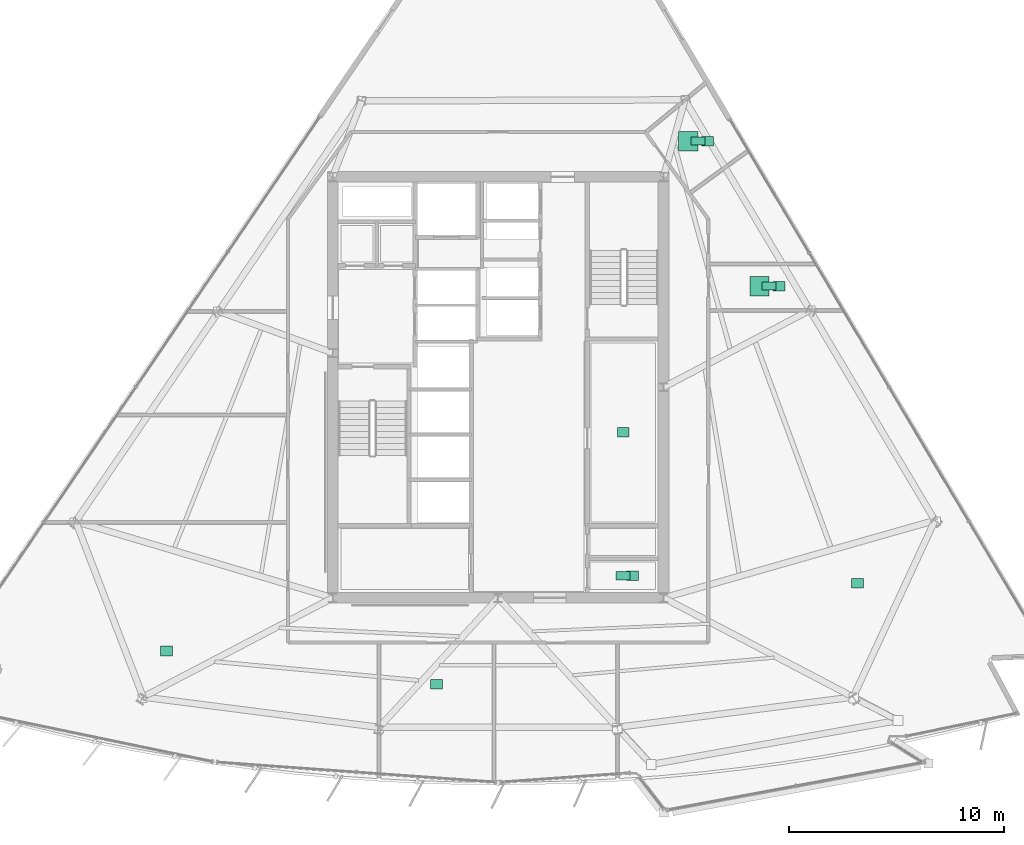
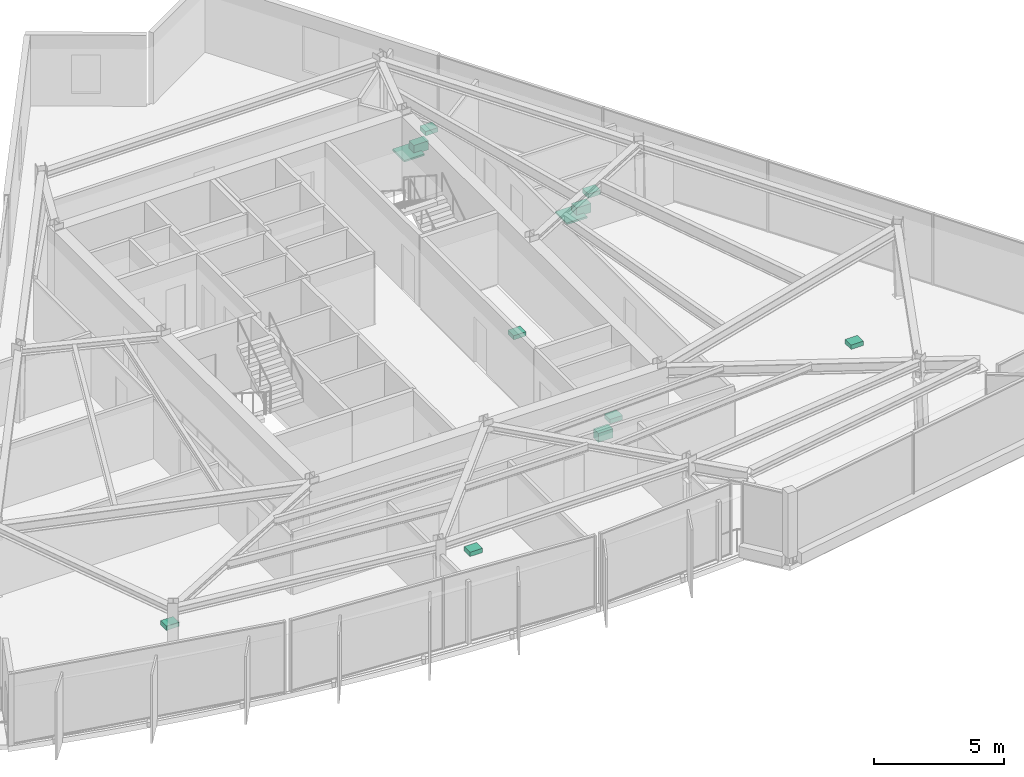
# One storey, part 13 of 13: 12 sanitary terminals.
"""IFC4 building model written with IfcOpenShell, lengths in metres."""

from ifc_helpers import new_model, si_unit, direction, frame, origin, origin_2d, place, context, subcontext, project, spatial, rectangle, extrude, material, type_object, element, save


model = new_model("IFC4")

# Units and contexts
model_context = context("Model", 3, precision=1e-05, world=origin(), true_north=direction((0.0, 1.0)))
body_context = subcontext(model_context, "Body", "Model", "MODEL_VIEW")
ifc_project = project(units=[si_unit("LENGTHUNIT", "METRE"), si_unit("AREAUNIT", "SQUARE_METRE"), si_unit("VOLUMEUNIT", "CUBIC_METRE"), si_unit("PLANEANGLEUNIT", "RADIAN"), si_unit("MASSUNIT", "GRAM", prefix="KILO")], contexts=[model_context])

# Site, building, storey
site_placement = place(None, origin())
site = spatial("IfcSite", under=ifc_project, at=site_placement, CompositionType="ELEMENT")
building_placement = place(site_placement, origin())
building = spatial("IfcBuilding", under=site, at=building_placement, Name="Savorim Split Tower", CompositionType="ELEMENT")
storey_placement = place(building_placement, frame((0.0, 0.0, 216.300048828125)))
storey = spatial("IfcBuildingStorey", under=building, at=storey_placement, Name="L57", CompositionType="ELEMENT", Elevation=216.300048828125)

# Sanitary terminals
ifc_material = material(Name="Vitreous China Sanitaryware")
sanitary_terminal_type_1 = type_object("IfcSanitaryTerminalType", Name="SAN-SHW-900", PredefinedType="SHOWER", material=ifc_material)
for number, where, z_axis, x_axis, name in (
    (1, (12.162841796875, 5.106689453125, 0.0), (0.0, 0.0, 1.0), (1.0, 0.0, 0.0), "L57 Shared Bathroom Shower"),
    (2, (8.849853515625, 11.8525390625, 0.0), (0.0, 0.0, 1.0), (1.0, 0.0, 0.0), "L57 Shared Bathroom Shower"),
):
    element("IfcSanitaryTerminal", number, at=place(storey_placement, frame(where, z_axis=z_axis, x_axis=x_axis)), inside=storey, type_object=sanitary_terminal_type_1, Name=name, PredefinedType="SHOWER", context=body_context, shape_type="SweptSolid", body=[
        extrude(rectangle(XDim=0.89990234375, YDim=0.89990234375, at=origin_2d()), origin(), (0.0, 0.0, 1.0), 0.080078125),
    ])
sanitary_terminal_type_2 = type_object("IfcSanitaryTerminalType", Name="SAN-WC-PAN", PredefinedType="TOILETPAN", material=ifc_material)
for number, where, z_axis, x_axis, name in (
    (3, (5.800048828125, -8.3701171875, 0.0), (0.0, 0.0, 1.0), (1.0, 0.0, 0.0), "L57 Accessible WC WC Pan"),
    (4, (12.61279296875, 5.106689453125, 0.0), (0.0, 0.0, 1.0), (1.0, 0.0, 0.0), "L57 Shared Bathroom WC Pan"),
    (5, (9.2998046875, 11.8525390625, 0.0), (0.0, 0.0, 1.0), (1.0, 0.0, 0.0), "L57 Shared Bathroom WC Pan"),
):
    element("IfcSanitaryTerminal", number, at=place(storey_placement, frame(where, z_axis=z_axis, x_axis=x_axis)), inside=storey, type_object=sanitary_terminal_type_2, Name=name, PredefinedType="TOILETPAN", context=body_context, shape_type="SweptSolid", body=[
        extrude(rectangle(XDim=0.64990234375, YDim=0.3798828125, at=origin_2d()), origin(), (0.0, 0.0, 1.0), 0.419921875),
    ])
sanitary_terminal_type_3 = type_object("IfcSanitaryTerminalType", Name="SAN-WHB-550", PredefinedType="WASHHANDBASIN", material=ifc_material)
for number, where, z_axis, x_axis, name in (
    (6, (5.824951171875, -1.699951171875, 0.75), (0.0, 0.0, 1.0), (1.0, 0.0, 0.0), "L57 Community Laundry Room Utility Sink"),
    (7, (6.25, -8.3701171875, 0.72021484375), (0.0, 0.0, 1.0), (1.0, 0.0, 0.0), "L57 Accessible WC Washhand Basin"),
    (8, (-15.43310546875, -11.872314453125, 0.75), (0.0, 0.0, 1.0), (1.0, 0.0, 0.0), "L57 Community Laundry Room Utility Sink"),
    (9, (-2.872314453125, -13.412353515625, 0.75), (0.0, 0.0, 1.0), (1.0, 0.0, 0.0), "L57 Shared Kitchen Utility Sink"),
    (10, (16.7236328125, -8.719482421875, 0.75), (0.0, 0.0, 1.0), (1.0, 0.0, 0.0), "L57 Community Laundry Room Utility Sink"),
    (11, (13.06298828125, 5.106689453125, 0.72021484375), (0.0, 0.0, 1.0), (1.0, 0.0, 0.0), "L57 Shared Bathroom Washhand Basin"),
    (12, (9.749755859375, 11.8525390625, 0.72021484375), (0.0, 0.0, 1.0), (1.0, 0.0, 0.0), "L57 Shared Bathroom Washhand Basin"),
):
    element("IfcSanitaryTerminal", number, at=place(storey_placement, frame(where, z_axis=z_axis, x_axis=x_axis)), inside=storey, type_object=sanitary_terminal_type_3, Name=name, PredefinedType="WASHHANDBASIN", context=body_context, shape_type="SweptSolid", body=[
        extrude(rectangle(XDim=0.550048828125, YDim=0.449951171875, at=origin_2d()), origin(), (0.0, 0.0, 1.0), 0.199951171875),
    ])

save(model, "model.ifc")
